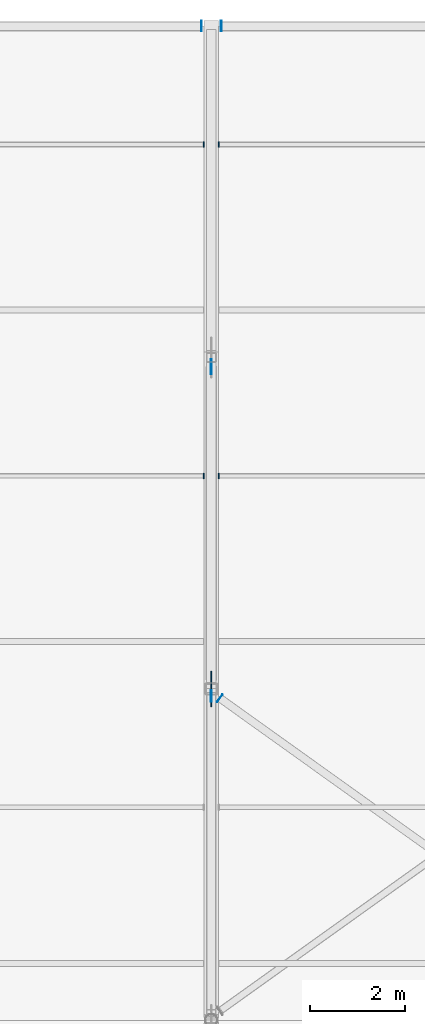
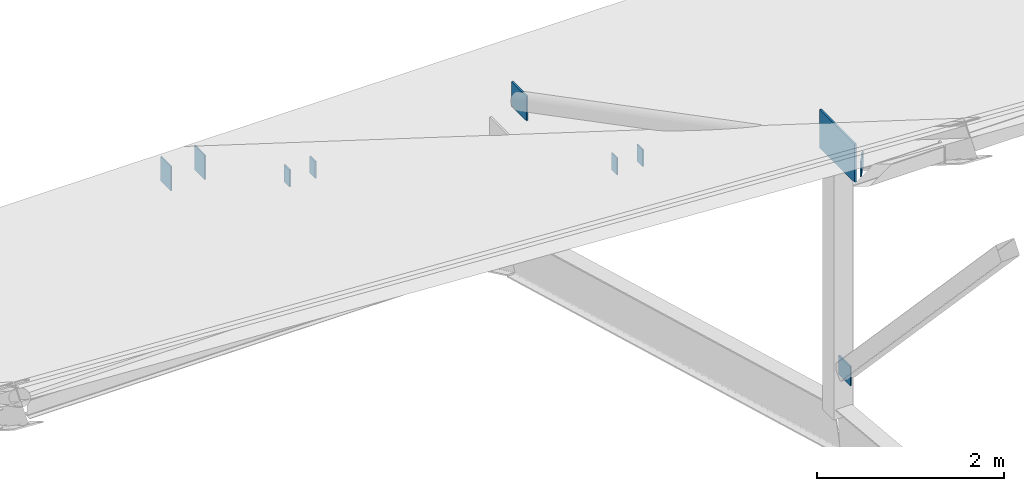
# One storey, part 56 of 66: 10 plates.
"""IFC4 building model written with IfcOpenShell, lengths in metres."""

from ifc_helpers import new_model, si_unit, direction, frame, origin, origin_2d, place, context, subcontext, project, spatial, rectangle, extrude, material, layer, layer_set, type_object, element, save


model = new_model("IFC4")

# Units and contexts
model_context = context("Model", 3, precision=1e-05, world=origin(), true_north=direction((0.0, 1.0)))
body_context = subcontext(model_context, "Body", "Model", "MODEL_VIEW")
ifc_project = project(units=[si_unit("LENGTHUNIT", "METRE"), si_unit("AREAUNIT", "SQUARE_METRE"), si_unit("VOLUMEUNIT", "CUBIC_METRE"), si_unit("PLANEANGLEUNIT", "RADIAN"), si_unit("MASSUNIT", "GRAM", prefix="KILO")], contexts=[model_context])

# Site, building, storey
site_placement = place(None, origin())
site = spatial("IfcSite", under=ifc_project, at=site_placement, CompositionType="ELEMENT")
building_placement = place(site_placement, origin())
building = spatial("IfcBuilding", under=site, at=building_placement, Name="Yeouljin Market Hall", CompositionType="ELEMENT")
storey_placement = place(building_placement, frame((0.0, 0.0, 23.39990234375)))
storey = spatial("IfcBuildingStorey", under=building, at=storey_placement, Name="RF", CompositionType="ELEMENT", Elevation=23.39990234375)

# Plates
ifc_material_1 = material(Name="Steel SM355", Category="steel")
ifc_layer_1 = layer(ifc_material_1, 0.01611328125)
ifc_layer_set_1 = layer_set([ifc_layer_1], Name="Steel SM355")
plate_type_1 = type_object("IfcPlateType", Name="CapPlate_200x200x16", PredefinedType="SHEET", material=ifc_layer_set_1)
plate_1_placement = place(storey_placement, frame((102.77978515625, 63.80419921875, -3.78271484375), z_axis=(0.0, 0.0, 1.0), x_axis=(0.581697151818, 0.813405448449, 0.0)))
element("IfcPlate", 1, at=plate_1_placement, inside=storey, type_object=plate_type_1, Name="Wind brace end-cap plate 0201", PredefinedType="SHEET", context=body_context, shape_type="SweptSolid", body=[
    extrude(rectangle(XDim=0.199951171875, YDim=0.01611328125, at=origin_2d()), origin(), (0.0, 0.0, 1.0), 0.199951171875),
])
ifc_material_2 = material(Name="Steel SM355", Category="steel")
ifc_layer_2 = layer(ifc_material_2, 0.01611328125)
ifc_layer_set_2 = layer_set([ifc_layer_2], Name="Steel SM355")
plate_type_2 = type_object("IfcPlateType", Name="CapPlate_220x120x16", PredefinedType="SHEET", material=ifc_layer_set_2)
for number, where, z_axis, x_axis, name in (
    (2, (102.44189453125, 68.5, -6.5185546875), (0.0, 0.0, 1.0), (0.0, 1.0, 0.0), "Purlin end-cap plate 0178"),
    (3, (102.44189453125, 75.5, -10.91845703125), (0.0, 0.0, 1.0), (0.0, 1.0, 0.0), "Purlin end-cap plate 0180"),
    (4, (102.758056640625, 68.5, -6.5185546875), (0.0, 0.0, 1.0), (0.0, 1.0, 0.0), "Purlin end-cap plate 0189"),
    (5, (102.758056640625, 75.5, -10.91845703125), (0.0, 0.0, 1.0), (0.0, 1.0, 0.0), "Purlin end-cap plate 0191"),
):
    element("IfcPlate", number, at=place(storey_placement, frame(where, z_axis=z_axis, x_axis=x_axis)), inside=storey, type_object=plate_type_2, Name=name, PredefinedType="SHEET", context=body_context, shape_type="SweptSolid", body=[
        extrude(rectangle(XDim=0.1201171875, YDim=0.01611328125, at=origin_2d()), origin(), (0.0, 0.0, 1.0), 0.219970703125),
    ])
ifc_material_3 = material(Name="Steel SM355", Category="steel")
ifc_layer_3 = layer(ifc_material_3, 0.01611328125)
ifc_layer_set_3 = layer_set([ifc_layer_3], Name="Steel SM355")
plate_type_3 = type_object("IfcPlateType", Name="CapPlate_250x250x16", PredefinedType="SHEET", material=ifc_layer_set_3)
plate_2_placement = place(storey_placement, frame((102.60009765625, 63.848876953125, -6.465087890625), z_axis=(0.0, 0.0, 1.0), x_axis=(0.0, 1.0, 0.0)))
element("IfcPlate", 6, at=plate_2_placement, inside=storey, type_object=plate_type_3, Name="Hollow web end-cap plate 0031", PredefinedType="SHEET", context=body_context, shape_type="SweptSolid", body=[
    extrude(rectangle(XDim=0.25, YDim=0.01611328125, at=origin_2d()), origin(), (0.0, 0.0, 1.0), 0.25),
])
ifc_material_4 = material(Name="Steel SM355", Category="steel")
ifc_layer_4 = layer(ifc_material_4, 0.01611328125)
ifc_layer_set_4 = layer_set([ifc_layer_4], Name="Steel SM355")
plate_type_4 = type_object("IfcPlateType", Name="CapPlate_320x220x16", PredefinedType="SHEET", material=ifc_layer_set_4)
for number, where, z_axis, x_axis, name in (
    (7, (102.39208984375, 78.0, -12.43994140625), (0.0, 0.0, 1.0), (0.0, 1.0, 0.0), "Eaves girder end-cap plate N07-E"),
    (8, (102.80810546875, 78.0, -12.43994140625), (0.0, 0.0, 1.0), (0.0, 1.0, 0.0), "Eaves girder end-cap plate N08-W"),
):
    element("IfcPlate", number, at=place(storey_placement, frame(where, z_axis=z_axis, x_axis=x_axis)), inside=storey, type_object=plate_type_4, Name=name, PredefinedType="SHEET", context=body_context, shape_type="SweptSolid", body=[
        extrude(rectangle(XDim=0.219970703125, YDim=0.01611328125, at=origin_2d()), origin(), (0.0, 0.0, 1.0), 0.320068359375),
    ])
ifc_material_5 = material(Name="Steel SM355", Category="steel")
ifc_layer_5 = layer(ifc_material_5, 0.02001953125)
ifc_layer_set_5 = layer_set([ifc_layer_5], Name="Steel SM355")
plate_type_5 = type_object("IfcPlateType", Name="CapPlate_320x320x20", PredefinedType="SHEET", material=ifc_layer_set_5)
plate_3_placement = place(storey_placement, frame((102.60009765625, 70.804931640625, -7.20263671875), z_axis=(0.0, 0.0, 1.0), x_axis=(0.0, 1.0, 0.0)))
element("IfcPlate", 9, at=plate_3_placement, inside=storey, type_object=plate_type_5, Name="Hollow web end-cap plate 0032", PredefinedType="SHEET", context=body_context, shape_type="SweptSolid", body=[
    extrude(rectangle(XDim=0.320068359375, YDim=0.02001953125, at=origin_2d()), origin(), (0.0, 0.0, 1.0), 0.320068359375),
])
ifc_material_6 = material(Name="Steel SM355", Category="steel")
ifc_layer_6 = layer(ifc_material_6, 0.02392578125)
ifc_layer_set_6 = layer_set([ifc_layer_6], Name="Steel SM355")
plate_type_6 = type_object("IfcPlateType", Name="GussetPlate_750x500x24", PredefinedType="USERDEFINED", material=ifc_layer_set_6)
plate_4_placement = place(storey_placement, frame((102.60009765625, 64.0, -3.75), z_axis=(0.0, 0.0, 1.0), x_axis=(0.0, 1.0, 0.0)))
element("IfcPlate", 10, at=plate_4_placement, inside=storey, type_object=plate_type_6, Name="Truss node gusset plate 039", ObjectType="GUSSET PLATE", PredefinedType="USERDEFINED", context=body_context, shape_type="SweptSolid", body=[
    extrude(rectangle(XDim=0.75, YDim=0.02392578125, at=origin_2d()), origin(), (0.0, 0.0, 1.0), 0.5),
])

save(model, "model.ifc")
